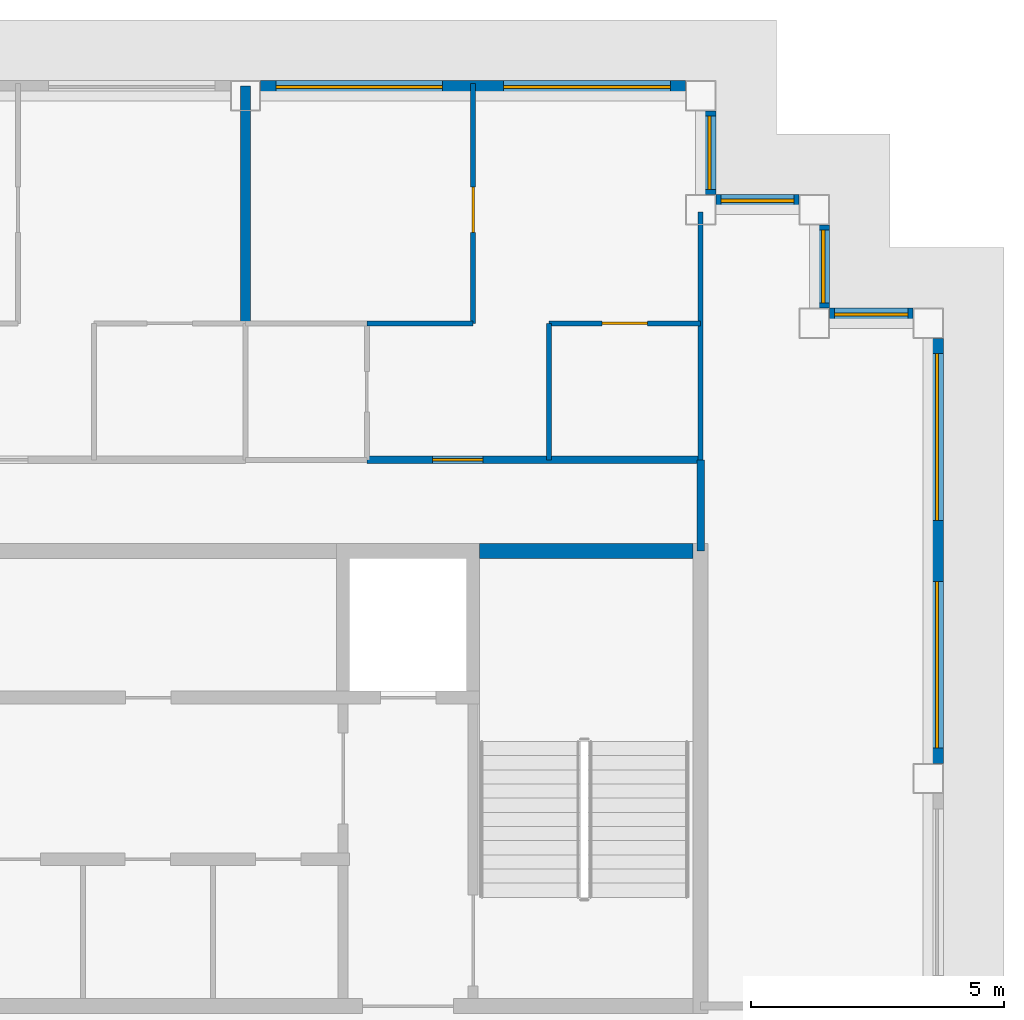
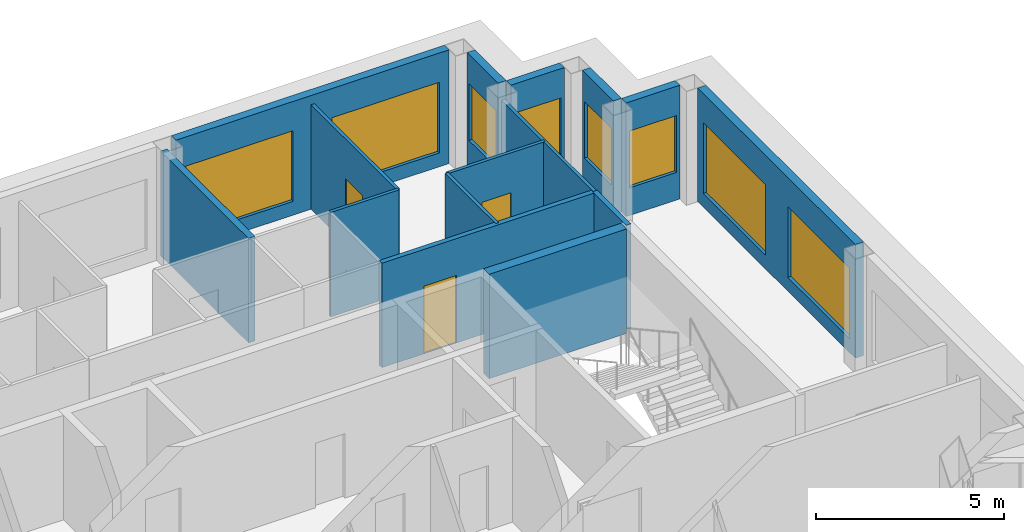
# One storey, part 6 of 11: 15 walls, 8 windows, 3 doors, 11 openings.
"""IFC4 building model written with IfcOpenShell, lengths in metres."""

from ifc_helpers import new_model, si_unit, direction, frame, frame_2d, origin, place, context, subcontext, project, spatial, rectangle, extrude, material, layer, layer_set, type_object, element, fill, save


model = new_model("IFC4")

# Units and contexts
model_context = context("Model", 3, precision=1e-05, world=origin(), true_north=direction((0.0, 1.0)))
body_context = subcontext(model_context, "Body", "Model", "MODEL_VIEW")
ifc_project = project(units=[si_unit("LENGTHUNIT", "METRE"), si_unit("AREAUNIT", "SQUARE_METRE"), si_unit("VOLUMEUNIT", "CUBIC_METRE"), si_unit("PLANEANGLEUNIT", "RADIAN"), si_unit("MASSUNIT", "GRAM", prefix="KILO")], contexts=[model_context])

# Site, building, storey
site_placement = place(None, origin())
site = spatial("IfcSite", under=ifc_project, at=site_placement, CompositionType="ELEMENT")
building_placement = place(site_placement, origin())
building = spatial("IfcBuilding", under=site, at=building_placement, Name="Caravel Reach Hotel and Residences", CompositionType="ELEMENT")
storey_placement = place(building_placement, frame((0.0, 0.0, 271.199951171875)))
storey = spatial("IfcBuildingStorey", under=building, at=storey_placement, Name="L69", CompositionType="ELEMENT", Elevation=271.199951171875)

# Wall
ifc_material_1 = material(Name="Concrete C60", Category="concrete")
ifc_layer_1 = layer(ifc_material_1, 0.300048828125)
ifc_layer_set_1 = layer_set([ifc_layer_1], Name="Core wall 300 mm EI 120")
wall_type_1 = type_object("IfcWallType", Name="Core wall 300 mm EI 120", PredefinedType="SHEAR", material=ifc_layer_set_1)
wall_1_placement = place(storey_placement, frame((40.625, 31.5, 0.0), z_axis=(0.0, 0.0, 1.0), x_axis=(1.0, 0.0, 0.0)))
element("IfcWall", 1, at=wall_1_placement, inside=storey, type_object=wall_type_1, Name="L69 core wall N3", PredefinedType="SHEAR", context=body_context, shape_type="SweptSolid", body=[
    extrude(rectangle(XDim=4.22509765625, YDim=0.300048828125, at=frame_2d((2.112548828125, 0.0))), origin(), (0.0, 0.0, 1.0), 3.400146484375),
])

# Wall, opening, door
ifc_material_2 = material(Name="Gypsum board on steel stud, fire-rated", Category="steel")
ifc_layer_2 = layer(ifc_material_2, 0.14990234375)
ifc_layer_set_2 = layer_set([ifc_layer_2], Name="Corridor wall 150 mm EI 60")
wall_type_2 = type_object("IfcWallType", Name="Corridor wall 150 mm EI 60", PredefinedType="PARTITIONING", material=ifc_layer_set_2)
wall_2_placement = place(storey_placement, frame((38.39990234375, 33.300048828125, 0.0), z_axis=(0.0, 0.0, 1.0), x_axis=(1.0, 0.0, 0.0)))
wall_2 = element("IfcWall", 2, at=wall_2_placement, inside=storey, type_object=wall_type_2, Name="L69 wall w014", PredefinedType="PARTITIONING", context=body_context, shape_type="SweptSolid", body=[
    extrude(rectangle(XDim=6.60009765625, YDim=0.14990234375, at=frame_2d((3.300048828125, 0.0))), origin(), (0.0, 0.0, 1.0), 3.400146484375),
])
opening_1_placement = place(wall_2_placement, frame((1.300048828125, 0.0, 0.0)))
opening_1 = element("IfcOpeningElement", 3, at=opening_1_placement, cuts=wall_2, Name="Opening D69-025", PredefinedType="OPENING", context=body_context, shape_type="SweptSolid", body=[
    extrude(rectangle(XDim=1.0, YDim=2.199951171875, at=frame_2d((0.5, 1.10009765625))), frame((0.0, 0.0849609375, 0.0), z_axis=(0.0, -1.0, 0.0), x_axis=(1.0, 0.0, 0.0)), (0.0, 0.0, 1.0), 0.169921875),
])
ifc_material_3 = material(Name="Steel fire door leaf", Category="steel")
door_type_1 = type_object("IfcDoorType", Name="Flat entrance door 1000 x 2200 EI 60", OperationType="SINGLE_SWING_LEFT", PredefinedType="DOOR", material=ifc_material_3)
door_1_placement = place(opening_1_placement, origin())
door_1 = element("IfcDoor", 4, at=door_1_placement, inside=storey, type_object=door_type_1, Name="door D69-025", OperationType="SINGLE_SWING_LEFT", OverallHeight=2.199951171875, OverallWidth=1.0, PredefinedType="DOOR", context=body_context, shape_type="SweptSolid", body=[
    extrude(rectangle(XDim=1.0, YDim=2.199951171875, at=frame_2d((0.5, 1.10009765625))), frame((0.0, 0.02490234375, 0.0), z_axis=(0.0, -1.0, 0.0), x_axis=(1.0, 0.0, 0.0)), (0.0, 0.0, 1.0), 0.050048828125),
])
fill(opening_1, door_1)

# Wall
wall_3_placement = place(storey_placement, frame((45.0, 31.5, 0.0), z_axis=(0.0, 0.0, 1.0), x_axis=(0.0, 1.0, 0.0)))
element("IfcWall", 5, at=wall_3_placement, inside=storey, type_object=wall_type_2, Name="L69 wall w020", PredefinedType="PARTITIONING", context=body_context, shape_type="SweptSolid", body=[
    extrude(rectangle(XDim=1.800048828125, YDim=0.14990234375, at=frame_2d((0.89990234375, 0.0))), origin(), (0.0, 0.0, 1.0), 3.400146484375),
])

# Wall, openings, windows
ifc_material_4 = material(Name="Insulated rainscreen wall, aluminium cladding", Category="aluminium")
ifc_layer_3 = layer(ifc_material_4, 0.25)
ifc_layer_set_3 = layer_set([ifc_layer_3], Name="EW1 Tower rainscreen wall")
wall_type_3 = type_object("IfcWallType", Name="EW1 Tower rainscreen wall", PredefinedType="SOLIDWALL", material=ifc_layer_set_3)
wall_4_placement = place(storey_placement, frame((49.675048828125, 27.300048828125, 0.0), z_axis=(0.0, 0.0, 1.0), x_axis=(0.0, 1.0, 0.0)))
wall_4 = element("IfcWall", 6, at=wall_4_placement, inside=storey, type_object=wall_type_3, Name="External wall L69 E9.2", PredefinedType="SOLIDWALL", context=body_context, shape_type="SweptSolid", body=[
    extrude(rectangle(XDim=8.39990234375, YDim=0.25, at=frame_2d((4.199951171875, 0.0))), origin(), (0.0, 0.0, 1.0), 3.699951171875),
])
opening_2_placement = place(wall_4_placement, frame((0.300048828125, 0.0, 0.449951171875)))
opening_2 = element("IfcOpeningElement", 7, at=opening_2_placement, cuts=wall_4, Name="Opening WN15", PredefinedType="OPENING", context=body_context, shape_type="SweptSolid", body=[
    extrude(rectangle(XDim=3.300048828125, YDim=2.300048828125, at=frame_2d((1.64990234375, 1.14990234375))), frame((0.0, 0.135009765625, 0.0), z_axis=(0.0, -1.0, 0.0), x_axis=(1.0, 0.0, 0.0)), (0.0, 0.0, 1.0), 0.27001953125),
])
opening_3_placement = place(wall_4_placement, frame((4.800048828125, 0.0, 0.449951171875)))
opening_3 = element("IfcOpeningElement", 8, at=opening_3_placement, cuts=wall_4, Name="Opening WN15", PredefinedType="OPENING", context=body_context, shape_type="SweptSolid", body=[
    extrude(rectangle(XDim=3.300048828125, YDim=2.300048828125, at=frame_2d((1.64990234375, 1.14990234375))), frame((0.0, 0.135009765625, 0.0), z_axis=(0.0, -1.0, 0.0), x_axis=(1.0, 0.0, 0.0)), (0.0, 0.0, 1.0), 0.27001953125),
])
ifc_material_5 = material(Name="Dark low-e glazing in black aluminium frame", Category="aluminium")
window_type_1 = type_object("IfcWindowType", Name="Residence living window 3300 x 2300", PartitioningType="SINGLE_PANEL", PredefinedType="WINDOW", material=ifc_material_5)
window_1_placement = place(opening_2_placement, origin())
window_1 = element("IfcWindow", 9, at=window_1_placement, inside=storey, type_object=window_type_1, Name="Window L69 E9.2.1", OverallHeight=2.300048828125, OverallWidth=3.300048828125, PartitioningType="SINGLE_PANEL", PredefinedType="WINDOW", context=body_context, shape_type="SweptSolid", body=[
    extrude(rectangle(XDim=3.300048828125, YDim=2.300048828125, at=frame_2d((1.64990234375, 1.14990234375))), frame((0.0, 0.030029296875, 0.0), z_axis=(0.0, -1.0, 0.0), x_axis=(1.0, 0.0, 0.0)), (0.0, 0.0, 1.0), 0.06005859375),
])
fill(opening_2, window_1)
window_2_placement = place(opening_3_placement, origin())
window_2 = element("IfcWindow", 10, at=window_2_placement, inside=storey, type_object=window_type_1, Name="Window L69 E9.2.2", OverallHeight=2.300048828125, OverallWidth=3.300048828125, PartitioningType="SINGLE_PANEL", PredefinedType="WINDOW", context=body_context, shape_type="SweptSolid", body=[
    extrude(rectangle(XDim=3.300048828125, YDim=2.300048828125, at=frame_2d((1.64990234375, 1.14990234375))), frame((0.0, 0.030029296875, 0.0), z_axis=(0.0, -1.0, 0.0), x_axis=(1.0, 0.0, 0.0)), (0.0, 0.0, 1.0), 0.06005859375),
])
fill(opening_3, window_2)

# Wall, opening, window
wall_5_placement = place(storey_placement, frame((49.199951171875, 36.175048828125, 0.0), z_axis=(0.0, 0.0, 1.0), x_axis=(-1.0, 0.0, 0.0)))
wall_5 = element("IfcWall", 11, at=wall_5_placement, inside=storey, type_object=wall_type_3, Name="External wall L69 N10.1", PredefinedType="SOLIDWALL", context=body_context, shape_type="SweptSolid", body=[
    extrude(rectangle(XDim=1.64990234375, YDim=0.25, at=frame_2d((0.824951171875, 0.0))), origin(), (0.0, 0.0, 1.0), 3.699951171875),
])
opening_4_placement = place(wall_5_placement, frame((0.10009765625, 0.0, 0.89990234375)))
opening_4 = element("IfcOpeningElement", 12, at=opening_4_placement, cuts=wall_5, Name="Opening WN25", PredefinedType="OPENING", context=body_context, shape_type="SweptSolid", body=[
    extrude(rectangle(XDim=1.449951171875, YDim=1.85009765625, at=frame_2d((0.72509765625, 0.925048828125))), frame((0.0, 0.135009765625, 0.0), z_axis=(0.0, -1.0, 0.0), x_axis=(1.0, 0.0, 0.0)), (0.0, 0.0, 1.0), 0.27001953125),
])
ifc_material_6 = material(Name="Dark low-e glazing in black aluminium frame", Category="aluminium")
window_type_2 = type_object("IfcWindowType", Name="Residence bedroom window 1450 x 1850", PartitioningType="SINGLE_PANEL", PredefinedType="WINDOW", material=ifc_material_6)
window_3_placement = place(opening_4_placement, origin())
window_3 = element("IfcWindow", 13, at=window_3_placement, inside=storey, type_object=window_type_2, Name="Window L69 N10.1.1", OverallHeight=1.85009765625, OverallWidth=1.449951171875, PartitioningType="SINGLE_PANEL", PredefinedType="WINDOW", context=body_context, shape_type="SweptSolid", body=[
    extrude(rectangle(XDim=1.449951171875, YDim=1.85009765625, at=frame_2d((0.72509765625, 0.925048828125))), frame((0.0, 0.030029296875, 0.0), z_axis=(0.0, -1.0, 0.0), x_axis=(1.0, 0.0, 0.0)), (0.0, 0.0, 1.0), 0.06005859375),
])
fill(opening_4, window_3)

wall_6_placement = place(storey_placement, frame((47.425048828125, 36.300048828125, 0.0), z_axis=(0.0, 0.0, 1.0), x_axis=(0.0, 1.0, 0.0)))
wall_6 = element("IfcWall", 14, at=wall_6_placement, inside=storey, type_object=wall_type_3, Name="External wall L69 E11.1", PredefinedType="SOLIDWALL", context=body_context, shape_type="SweptSolid", body=[
    extrude(rectangle(XDim=1.64990234375, YDim=0.25, at=frame_2d((0.824951171875, 0.0))), origin(), (0.0, 0.0, 1.0), 3.699951171875),
])
opening_5_placement = place(wall_6_placement, frame((0.10009765625, 0.0, 0.89990234375)))
opening_5 = element("IfcOpeningElement", 15, at=opening_5_placement, cuts=wall_6, Name="Opening WN25", PredefinedType="OPENING", context=body_context, shape_type="SweptSolid", body=[
    extrude(rectangle(XDim=1.449951171875, YDim=1.85009765625, at=frame_2d((0.72509765625, 0.925048828125))), frame((0.0, 0.135009765625, 0.0), z_axis=(0.0, -1.0, 0.0), x_axis=(1.0, 0.0, 0.0)), (0.0, 0.0, 1.0), 0.27001953125),
])
window_4_placement = place(opening_5_placement, origin())
window_4 = element("IfcWindow", 16, at=window_4_placement, inside=storey, type_object=window_type_2, Name="Window L69 E11.1.1", OverallHeight=1.85009765625, OverallWidth=1.449951171875, PartitioningType="SINGLE_PANEL", PredefinedType="WINDOW", context=body_context, shape_type="SweptSolid", body=[
    extrude(rectangle(XDim=1.449951171875, YDim=1.85009765625, at=frame_2d((0.72509765625, 0.925048828125))), frame((0.0, 0.030029296875, 0.0), z_axis=(0.0, -1.0, 0.0), x_axis=(1.0, 0.0, 0.0)), (0.0, 0.0, 1.0), 0.06005859375),
])
fill(opening_5, window_4)

wall_7_placement = place(storey_placement, frame((46.949951171875, 38.425048828125, 0.0), z_axis=(0.0, 0.0, 1.0), x_axis=(-1.0, 0.0, 0.0)))
wall_7 = element("IfcWall", 17, at=wall_7_placement, inside=storey, type_object=wall_type_3, Name="External wall L69 N12.1", PredefinedType="SOLIDWALL", context=body_context, shape_type="SweptSolid", body=[
    extrude(rectangle(XDim=1.64990234375, YDim=0.25, at=frame_2d((0.824951171875, 0.0))), origin(), (0.0, 0.0, 1.0), 3.699951171875),
])
opening_6_placement = place(wall_7_placement, frame((0.10009765625, 0.0, 0.89990234375)))
opening_6 = element("IfcOpeningElement", 18, at=opening_6_placement, cuts=wall_7, Name="Opening WN25", PredefinedType="OPENING", context=body_context, shape_type="SweptSolid", body=[
    extrude(rectangle(XDim=1.449951171875, YDim=1.85009765625, at=frame_2d((0.72509765625, 0.925048828125))), frame((0.0, 0.135009765625, 0.0), z_axis=(0.0, -1.0, 0.0), x_axis=(1.0, 0.0, 0.0)), (0.0, 0.0, 1.0), 0.27001953125),
])
window_5_placement = place(opening_6_placement, origin())
window_5 = element("IfcWindow", 19, at=window_5_placement, inside=storey, type_object=window_type_2, Name="Window L69 N12.1.1", OverallHeight=1.85009765625, OverallWidth=1.449951171875, PartitioningType="SINGLE_PANEL", PredefinedType="WINDOW", context=body_context, shape_type="SweptSolid", body=[
    extrude(rectangle(XDim=1.449951171875, YDim=1.85009765625, at=frame_2d((0.72509765625, 0.925048828125))), frame((0.0, 0.030029296875, 0.0), z_axis=(0.0, -1.0, 0.0), x_axis=(1.0, 0.0, 0.0)), (0.0, 0.0, 1.0), 0.06005859375),
])
fill(opening_6, window_5)

wall_8_placement = place(storey_placement, frame((45.175048828125, 38.550048828125, 0.0), z_axis=(0.0, 0.0, 1.0), x_axis=(0.0, 1.0, 0.0)))
wall_8 = element("IfcWall", 20, at=wall_8_placement, inside=storey, type_object=wall_type_3, Name="External wall L69 E13.1", PredefinedType="SOLIDWALL", context=body_context, shape_type="SweptSolid", body=[
    extrude(rectangle(XDim=1.64990234375, YDim=0.25, at=frame_2d((0.824951171875, 0.0))), origin(), (0.0, 0.0, 1.0), 3.699951171875),
])
opening_7_placement = place(wall_8_placement, frame((0.10009765625, 0.0, 0.89990234375)))
opening_7 = element("IfcOpeningElement", 21, at=opening_7_placement, cuts=wall_8, Name="Opening WN25", PredefinedType="OPENING", context=body_context, shape_type="SweptSolid", body=[
    extrude(rectangle(XDim=1.449951171875, YDim=1.85009765625, at=frame_2d((0.72509765625, 0.925048828125))), frame((0.0, 0.135009765625, 0.0), z_axis=(0.0, -1.0, 0.0), x_axis=(1.0, 0.0, 0.0)), (0.0, 0.0, 1.0), 0.27001953125),
])
window_6_placement = place(opening_7_placement, origin())
window_6 = element("IfcWindow", 22, at=window_6_placement, inside=storey, type_object=window_type_2, Name="Window L69 E13.1.1", OverallHeight=1.85009765625, OverallWidth=1.449951171875, PartitioningType="SINGLE_PANEL", PredefinedType="WINDOW", context=body_context, shape_type="SweptSolid", body=[
    extrude(rectangle(XDim=1.449951171875, YDim=1.85009765625, at=frame_2d((0.72509765625, 0.925048828125))), frame((0.0, 0.030029296875, 0.0), z_axis=(0.0, -1.0, 0.0), x_axis=(1.0, 0.0, 0.0)), (0.0, 0.0, 1.0), 0.06005859375),
])
fill(opening_7, window_6)

# Wall, openings, windows
wall_9_placement = place(storey_placement, frame((44.699951171875, 40.675048828125, 0.0), z_axis=(0.0, 0.0, 1.0), x_axis=(-1.0, 0.0, 0.0)))
wall_9 = element("IfcWall", 23, at=wall_9_placement, inside=storey, type_object=wall_type_3, Name="External wall L69 N14.1", PredefinedType="SOLIDWALL", context=body_context, shape_type="SweptSolid", body=[
    extrude(rectangle(XDim=8.39990234375, YDim=0.25, at=frame_2d((4.199951171875, 0.0))), origin(), (0.0, 0.0, 1.0), 3.699951171875),
])
opening_8_placement = place(wall_9_placement, frame((0.300048828125, 0.0, 0.449951171875)))
opening_8 = element("IfcOpeningElement", 24, at=opening_8_placement, cuts=wall_9, Name="Opening WN15", PredefinedType="OPENING", context=body_context, shape_type="SweptSolid", body=[
    extrude(rectangle(XDim=3.300048828125, YDim=2.300048828125, at=frame_2d((1.64990234375, 1.14990234375))), frame((0.0, 0.135009765625, 0.0), z_axis=(0.0, -1.0, 0.0), x_axis=(1.0, 0.0, 0.0)), (0.0, 0.0, 1.0), 0.27001953125),
])
opening_9_placement = place(wall_9_placement, frame((4.800048828125, 0.0, 0.449951171875)))
opening_9 = element("IfcOpeningElement", 25, at=opening_9_placement, cuts=wall_9, Name="Opening WN15", PredefinedType="OPENING", context=body_context, shape_type="SweptSolid", body=[
    extrude(rectangle(XDim=3.300048828125, YDim=2.300048828125, at=frame_2d((1.64990234375, 1.14990234375))), frame((0.0, 0.135009765625, 0.0), z_axis=(0.0, -1.0, 0.0), x_axis=(1.0, 0.0, 0.0)), (0.0, 0.0, 1.0), 0.27001953125),
])
window_7_placement = place(opening_8_placement, origin())
window_7 = element("IfcWindow", 26, at=window_7_placement, inside=storey, type_object=window_type_1, Name="Window L69 N14.1.1", OverallHeight=2.300048828125, OverallWidth=3.300048828125, PartitioningType="SINGLE_PANEL", PredefinedType="WINDOW", context=body_context, shape_type="SweptSolid", body=[
    extrude(rectangle(XDim=3.300048828125, YDim=2.300048828125, at=frame_2d((1.64990234375, 1.14990234375))), frame((0.0, 0.030029296875, 0.0), z_axis=(0.0, -1.0, 0.0), x_axis=(1.0, 0.0, 0.0)), (0.0, 0.0, 1.0), 0.06005859375),
])
fill(opening_8, window_7)
window_8_placement = place(opening_9_placement, origin())
window_8 = element("IfcWindow", 27, at=window_8_placement, inside=storey, type_object=window_type_1, Name="Window L69 N14.1.2", OverallHeight=2.300048828125, OverallWidth=3.300048828125, PartitioningType="SINGLE_PANEL", PredefinedType="WINDOW", context=body_context, shape_type="SweptSolid", body=[
    extrude(rectangle(XDim=3.300048828125, YDim=2.300048828125, at=frame_2d((1.64990234375, 1.14990234375))), frame((0.0, 0.030029296875, 0.0), z_axis=(0.0, -1.0, 0.0), x_axis=(1.0, 0.0, 0.0)), (0.0, 0.0, 1.0), 0.06005859375),
])
fill(opening_9, window_8)

# Wall
ifc_material_7 = material(Name="Gypsum board on steel stud", Category="steel")
ifc_layer_4 = layer(ifc_material_7, 0.10009765625)
ifc_layer_set_4 = layer_set([ifc_layer_4], Name="Partition 100 mm")
wall_type_4 = type_object("IfcWallType", Name="Partition 100 mm", PredefinedType="PARTITIONING", material=ifc_layer_set_4)
wall_10_placement = place(storey_placement, frame((38.39990234375, 36.0, 0.0), z_axis=(0.0, 0.0, 1.0), x_axis=(1.0, 0.0, 0.0)))
element("IfcWall", 28, at=wall_10_placement, inside=storey, type_object=wall_type_4, Name="L69 wall w030", PredefinedType="PARTITIONING", context=body_context, shape_type="SweptSolid", body=[
    extrude(rectangle(XDim=2.10009765625, YDim=0.10009765625, at=frame_2d((1.050048828125, 0.0))), origin(), (0.0, 0.0, 1.0), 3.400146484375),
])

# Wall, opening, door
wall_11_placement = place(storey_placement, frame((42.0, 36.0, 0.0), z_axis=(0.0, 0.0, 1.0), x_axis=(1.0, 0.0, 0.0)))
wall_11 = element("IfcWall", 29, at=wall_11_placement, inside=storey, type_object=wall_type_4, Name="L69 wall w031", PredefinedType="PARTITIONING", context=body_context, shape_type="SweptSolid", body=[
    extrude(rectangle(XDim=3.0, YDim=0.10009765625, at=frame_2d((1.5, 0.0))), origin(), (0.0, 0.0, 1.0), 3.400146484375),
])
opening_10_placement = place(wall_11_placement, frame((1.050048828125, 0.0, 0.0)))
opening_10 = element("IfcOpeningElement", 30, at=opening_10_placement, cuts=wall_11, Name="Opening D69-027", PredefinedType="OPENING", context=body_context, shape_type="SweptSolid", body=[
    extrude(rectangle(XDim=0.89990234375, YDim=2.10009765625, at=frame_2d((0.449951171875, 1.050048828125))), frame((0.0, 0.06005859375, 0.0), z_axis=(0.0, -1.0, 0.0), x_axis=(1.0, 0.0, 0.0)), (0.0, 0.0, 1.0), 0.1201171875),
])
ifc_material_8 = material(Name="Timber and steel door leaf", Category="steel")
door_type_2 = type_object("IfcDoorType", Name="Door 900 x 2100 timber", OperationType="SINGLE_SWING_LEFT", PredefinedType="DOOR", material=ifc_material_8)
door_2_placement = place(opening_10_placement, origin())
door_2 = element("IfcDoor", 31, at=door_2_placement, inside=storey, type_object=door_type_2, Name="door D69-027", OperationType="SINGLE_SWING_LEFT", OverallHeight=2.10009765625, OverallWidth=0.89990234375, PredefinedType="DOOR", context=body_context, shape_type="SweptSolid", body=[
    extrude(rectangle(XDim=0.89990234375, YDim=2.10009765625, at=frame_2d((0.449951171875, 1.050048828125))), frame((0.0, 0.02490234375, 0.0), z_axis=(0.0, -1.0, 0.0), x_axis=(1.0, 0.0, 0.0)), (0.0, 0.0, 1.0), 0.050048828125),
])
fill(opening_10, door_2)

wall_12_placement = place(storey_placement, frame((40.5, 36.0, 0.0), z_axis=(0.0, 0.0, 1.0), x_axis=(0.0, 1.0, 0.0)))
wall_12 = element("IfcWall", 32, at=wall_12_placement, inside=storey, type_object=wall_type_4, Name="L69 wall w046", PredefinedType="PARTITIONING", context=body_context, shape_type="SweptSolid", body=[
    extrude(rectangle(XDim=4.739990234375, YDim=0.10009765625, at=frame_2d((2.3701171875, 0.0))), origin(), (0.0, 0.0, 1.0), 3.400146484375),
])
opening_11_placement = place(wall_12_placement, frame((1.800048828125, 0.0, 0.0)))
opening_11 = element("IfcOpeningElement", 33, at=opening_11_placement, cuts=wall_12, Name="Opening D69-028", PredefinedType="OPENING", context=body_context, shape_type="SweptSolid", body=[
    extrude(rectangle(XDim=0.89990234375, YDim=2.10009765625, at=frame_2d((0.449951171875, 1.050048828125))), frame((0.0, 0.06005859375, 0.0), z_axis=(0.0, -1.0, 0.0), x_axis=(1.0, 0.0, 0.0)), (0.0, 0.0, 1.0), 0.1201171875),
])
door_3_placement = place(opening_11_placement, origin())
door_3 = element("IfcDoor", 34, at=door_3_placement, inside=storey, type_object=door_type_2, Name="door D69-028", OperationType="SINGLE_SWING_RIGHT", OverallHeight=2.10009765625, OverallWidth=0.89990234375, PredefinedType="DOOR", context=body_context, shape_type="SweptSolid", body=[
    extrude(rectangle(XDim=0.89990234375, YDim=2.10009765625, at=frame_2d((0.449951171875, 1.050048828125))), frame((0.0, 0.02490234375, 0.0), z_axis=(0.0, -1.0, 0.0), x_axis=(1.0, 0.0, 0.0)), (0.0, 0.0, 1.0), 0.050048828125),
])
fill(opening_11, door_3)

# Walls
wall_13_placement = place(storey_placement, frame((42.0, 33.300048828125, 0.0), z_axis=(0.0, 0.0, 1.0), x_axis=(0.0, 1.0, 0.0)))
element("IfcWall", 35, at=wall_13_placement, inside=storey, type_object=wall_type_4, Name="L69 wall w049", PredefinedType="PARTITIONING", context=body_context, shape_type="SweptSolid", body=[
    extrude(rectangle(XDim=2.699951171875, YDim=0.10009765625, at=frame_2d((1.35009765625, 0.0))), origin(), (0.0, 0.0, 1.0), 3.400146484375),
])
wall_14_placement = place(storey_placement, frame((45.0, 33.300048828125, 0.0), z_axis=(0.0, 0.0, 1.0), x_axis=(0.0, 1.0, 0.0)))
element("IfcWall", 36, at=wall_14_placement, inside=storey, type_object=wall_type_4, Name="L69 wall w051", PredefinedType="PARTITIONING", context=body_context, shape_type="SweptSolid", body=[
    extrude(rectangle(XDim=4.89990234375, YDim=0.10009765625, at=frame_2d((2.449951171875, 0.0))), origin(), (0.0, 0.0, 1.0), 3.400146484375),
])
ifc_material_9 = material(Name="Autoclaved aerated block wall")
ifc_layer_5 = layer(ifc_material_9, 0.199951171875)
ifc_layer_set_5 = layer_set([ifc_layer_5], Name="Party wall 200 mm EI 60")
wall_type_5 = type_object("IfcWallType", Name="Party wall 200 mm EI 60", PredefinedType="PARTITIONING", material=ifc_layer_set_5)
wall_15_placement = place(storey_placement, frame((36.0, 36.0, 0.0), z_axis=(0.0, 0.0, 1.0), x_axis=(0.0, 1.0, 0.0)))
element("IfcWall", 37, at=wall_15_placement, inside=storey, type_object=wall_type_5, Name="L69 wall w054", PredefinedType="PARTITIONING", context=body_context, shape_type="SweptSolid", body=[
    extrude(rectangle(XDim=4.68994140625, YDim=0.199951171875, at=frame_2d((2.344970703125, 0.0))), origin(), (0.0, 0.0, 1.0), 3.400146484375),
])

save(model, "model.ifc")
